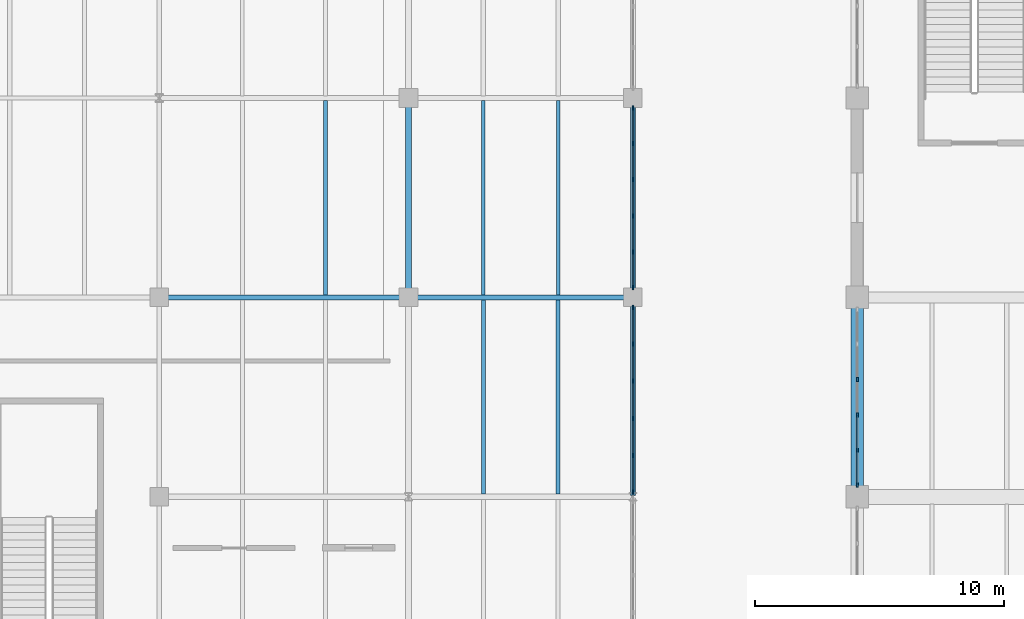
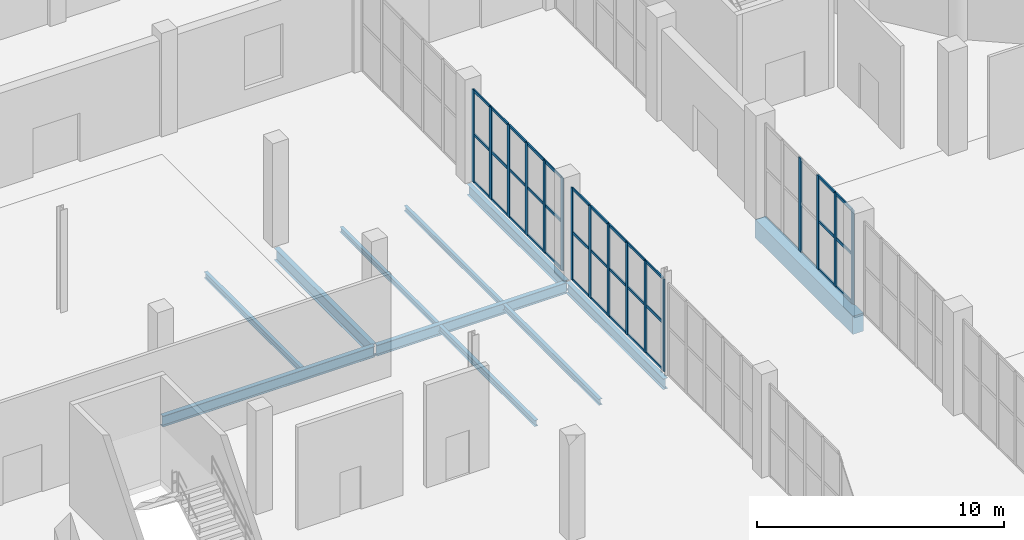
# One storey, part 34 of 103: 52 members, 11 beams, 3 elements without a shape of their own.
"""IFC4 building model written with IfcOpenShell, lengths in metres."""

from ifc_helpers import new_model, si_unit, direction, frame, origin, origin_2d, place, context, subcontext, project, spatial, rectangle, i_section, extrude, material, layer, layer_set, material_profile, profile_set, type_object, element, aggregate, save


model = new_model("IFC4")

# Units and contexts
model_context = context("Model", 3, precision=1e-05, world=origin(), true_north=direction((0.0, 1.0)))
body_context = subcontext(model_context, "Body", "Model", "MODEL_VIEW")
ifc_project = project(units=[si_unit("LENGTHUNIT", "METRE"), si_unit("AREAUNIT", "SQUARE_METRE"), si_unit("VOLUMEUNIT", "CUBIC_METRE"), si_unit("PLANEANGLEUNIT", "RADIAN"), si_unit("MASSUNIT", "GRAM", prefix="KILO")], contexts=[model_context])

# Site, building, storey
site_placement = place(None, origin())
site = spatial("IfcSite", under=ifc_project, at=site_placement, CompositionType="ELEMENT")
building_placement = place(site_placement, origin())
building = spatial("IfcBuilding", under=site, at=building_placement, Name="Marnock Terrace Opera House", CompositionType="ELEMENT")
storey_placement = place(building_placement, origin())
storey = spatial("IfcBuildingStorey", under=building, at=storey_placement, Name="L00", CompositionType="ELEMENT", Elevation=0.0)

# Beams
ifc_material_1 = material(Name="Concrete N40 (f'c = 40 MPa)", Category="concrete")
ifc_material_profile_1 = material_profile(ifc_material_1, rectangle(XDim=0.5, YDim=0.89990234375, at=origin_2d()))
ifc_profile_set_1 = profile_set([ifc_material_profile_1], Name="Concrete N40 (f'c = 40 MPa)")
beam_type_1 = type_object("IfcBeamType", Name="BM-B1-RC500", PredefinedType="BEAM", material=ifc_profile_set_1)
beam_1_placement = place(storey_placement, frame((55.0, 32.050048828125, -0.75), z_axis=(0.0, 1.0, 0.0), x_axis=(-1.0, 0.0, 0.0)))
element("IfcBeam", 1, at=beam_1_placement, inside=storey, type_object=beam_type_1, Name="L00 girder (X=55.0, 32.0..40.0)", PredefinedType="BEAM", context=body_context, shape_type="SweptSolid", body=[
    extrude(rectangle(XDim=0.5, YDim=0.89990234375, at=origin_2d()), origin(), (0.0, 0.0, 1.0), 7.89990234375),
])
ifc_material_2 = material(Name="Steel Grade 350 (AS/NZS 3679.1)", Category="steel")
ifc_material_profile_2 = material_profile(ifc_material_2, i_section(OverallWidth=0.208984375, OverallDepth=0.532958984375, WebThickness=0.01025390625, FlangeThickness=0.015625, FilletRadius=0.013916015625, at=origin_2d()))
ifc_profile_set_2 = profile_set([ifc_material_profile_2], Name="Steel Grade 350 (AS/NZS 3679.1)")
beam_type_2 = type_object("IfcBeamType", Name="BM-GIRD-530A", PredefinedType="BEAM", material=ifc_profile_set_2)
beam_2_placement = place(storey_placement, frame((27.050048828125, 40.0, -0.56640625), z_axis=(1.0, 0.0, 0.0), x_axis=(0.0, 1.0, 0.0)))
element("IfcBeam", 2, at=beam_2_placement, inside=storey, type_object=beam_type_2, Name="L00 girder (27.0..37.0, Y=40.0)", PredefinedType="BEAM", context=body_context, shape_type="SweptSolid", body=[
    extrude(i_section(OverallWidth=0.208984375, OverallDepth=0.532958984375, WebThickness=0.01025390625, FlangeThickness=0.015625, FilletRadius=0.013916015625, at=origin_2d()), origin(), (0.0, 0.0, 1.0), 9.89990234375),
])
beam_3_placement = place(storey_placement, frame((37.050048828125, 40.0, -0.56640625), z_axis=(1.0, 0.0, 0.0), x_axis=(0.0, 1.0, 0.0)))
element("IfcBeam", 3, at=beam_3_placement, inside=storey, type_object=beam_type_2, Name="L00 girder (37.0..46.0, Y=40.0)", PredefinedType="BEAM", context=body_context, shape_type="SweptSolid", body=[
    extrude(i_section(OverallWidth=0.208984375, OverallDepth=0.532958984375, WebThickness=0.01025390625, FlangeThickness=0.015625, FilletRadius=0.013916015625, at=origin_2d()), origin(), (0.0, 0.0, 1.0), 8.89990234375),
])
ifc_material_profile_3 = material_profile(ifc_material_2, i_section(OverallWidth=0.208984375, OverallDepth=0.528076171875, WebThickness=0.009521484375, FlangeThickness=0.01318359375, FilletRadius=0.013916015625, at=origin_2d()))
ifc_profile_set_3 = profile_set([ifc_material_profile_3], Name="Steel Grade 350 (AS/NZS 3679.1)")
beam_type_3 = type_object("IfcBeamType", Name="BM-GIRD-530B", PredefinedType="BEAM", material=ifc_profile_set_3)
for number, where, z_axis, x_axis, name in (
    (4, (46.0, 32.050048828125, -0.56396484375), (0.0, 1.0, 0.0), (-1.0, 0.0, 0.0), "L00 girder (X=46.0, 32.0..40.0)"),
    (5, (46.0, 40.050048828125, -0.56396484375), (0.0, 1.0, 0.0), (-1.0, 0.0, 0.0), "L00 girder (X=46.0, 40.0..48.0)"),
):
    element("IfcBeam", number, at=place(storey_placement, frame(where, z_axis=z_axis, x_axis=x_axis)), inside=storey, type_object=beam_type_3, Name=name, PredefinedType="BEAM", context=body_context, shape_type="SweptSolid", body=[
        extrude(i_section(OverallWidth=0.208984375, OverallDepth=0.528076171875, WebThickness=0.009521484375, FlangeThickness=0.01318359375, FilletRadius=0.013916015625, at=origin_2d()), origin(), (0.0, 0.0, 1.0), 7.89990234375),
    ])
ifc_material_profile_4 = material_profile(ifc_material_2, i_section(OverallWidth=0.22802734375, OverallDepth=0.60205078125, WebThickness=0.010498046875, FlangeThickness=0.014892578125, FilletRadius=0.013916015625, at=origin_2d()))
ifc_profile_set_4 = profile_set([ifc_material_profile_4], Name="Steel Grade 350 (AS/NZS 3679.1)")
beam_type_4 = type_object("IfcBeamType", Name="BM-GIRD-610C", PredefinedType="BEAM", material=ifc_profile_set_4)
beam_4_placement = place(storey_placement, frame((37.0, 40.050048828125, -0.60107421875), z_axis=(0.0, 1.0, 0.0), x_axis=(-1.0, 0.0, 0.0)))
element("IfcBeam", 6, at=beam_4_placement, inside=storey, type_object=beam_type_4, Name="L00 girder (X=37.0, 40.0..48.0)", PredefinedType="BEAM", context=body_context, shape_type="SweptSolid", body=[
    extrude(i_section(OverallWidth=0.22802734375, OverallDepth=0.60205078125, WebThickness=0.010498046875, FlangeThickness=0.014892578125, FilletRadius=0.013916015625, at=origin_2d()), origin(), (0.0, 0.0, 1.0), 7.89990234375),
])
ifc_material_profile_5 = material_profile(ifc_material_2, i_section(OverallWidth=0.14599609375, OverallDepth=0.256103515625, WebThickness=0.00634765625, FlangeThickness=0.010986328125, FilletRadius=0.0087890625, at=origin_2d()))
ifc_profile_set_5 = profile_set([ifc_material_profile_5], Name="Steel Grade 350 (AS/NZS 3679.1)")
beam_type_5 = type_object("IfcBeamType", Name="BM-JOIST-250", PredefinedType="JOIST", material=ifc_profile_set_5)
for number, where, z_axis, x_axis, name in (
    (7, (40.0, 40.099609375, -0.427978515625), (0.0, 1.0, 0.0), (-1.0, 0.0, 0.0), "L00 secondary joist 4.5.1"),
    (8, (43.0, 40.099609375, -0.427978515625), (0.0, 1.0, 0.0), (-1.0, 0.0, 0.0), "L00 secondary joist 4.5.2"),
):
    element("IfcBeam", number, at=place(storey_placement, frame(where, z_axis=z_axis, x_axis=x_axis)), inside=storey, type_object=beam_type_5, Name=name, PredefinedType="JOIST", context=body_context, shape_type="SweptSolid", body=[
        extrude(i_section(OverallWidth=0.14599609375, OverallDepth=0.256103515625, WebThickness=0.00634765625, FlangeThickness=0.010986328125, FilletRadius=0.0087890625, at=origin_2d()), origin(), (0.0, 0.0, 1.0), 7.809814453125),
    ])
ifc_material_profile_6 = material_profile(ifc_material_2, i_section(OverallWidth=0.1650390625, OverallDepth=0.3037109375, WebThickness=0.006103515625, FlangeThickness=0.01025390625, FilletRadius=0.011474609375, at=origin_2d()))
ifc_profile_set_6 = profile_set([ifc_material_profile_6], Name="Steel Grade 350 (AS/NZS 3679.1)")
beam_type_6 = type_object("IfcBeamType", Name="BM-JOIST-310B", PredefinedType="JOIST", material=ifc_profile_set_6)
beam_5_placement = place(storey_placement, frame((33.666748046875, 40.099609375, -0.451904296875), z_axis=(0.0, 1.0, 0.0), x_axis=(-1.0, 0.0, 0.0)))
element("IfcBeam", 9, at=beam_5_placement, inside=storey, type_object=beam_type_6, Name="L00 secondary joist 3.5.2", PredefinedType="JOIST", context=body_context, shape_type="SweptSolid", body=[
    extrude(i_section(OverallWidth=0.1650390625, OverallDepth=0.3037109375, WebThickness=0.006103515625, FlangeThickness=0.01025390625, FilletRadius=0.011474609375, at=origin_2d()), origin(), (0.0, 0.0, 1.0), 7.809814453125),
])
for number, where, z_axis, x_axis, name in (
    (10, (40.0, 32.10888671875, -0.451904296875), (0.0, 1.0, 0.0), (-1.0, 0.0, 0.0), "L00 secondary joist 4.4.1"),
    (11, (43.0, 32.10888671875, -0.451904296875), (0.0, 1.0, 0.0), (-1.0, 0.0, 0.0), "L00 secondary joist 4.4.2"),
):
    element("IfcBeam", number, at=place(storey_placement, frame(where, z_axis=z_axis, x_axis=x_axis)), inside=storey, type_object=beam_type_6, Name=name, PredefinedType="JOIST", context=body_context, shape_type="SweptSolid", body=[
        extrude(i_section(OverallWidth=0.1650390625, OverallDepth=0.3037109375, WebThickness=0.006103515625, FlangeThickness=0.01025390625, FilletRadius=0.011474609375, at=origin_2d()), origin(), (0.0, 0.0, 1.0), 7.79150390625),
    ])

# Curtain wall, members
ifc_material_3 = material(Name="Anodised architectural bronze aluminium framing", Category="aluminium")
ifc_layer_1 = layer(ifc_material_3, 0.159912109375)
ifc_layer_set_1 = layer_set([ifc_layer_1], Name="Anodised architectural bronze aluminium framing")
curtain_wall_type_1 = type_object("IfcCurtainWallType", Name="CW-FOYER-80x51", PredefinedType="NOTDEFINED", material=ifc_layer_set_1)
curtain_wall_1_placement = place(storey_placement, origin())
curtain_wall_1 = element("IfcCurtainWall", 12, at=curtain_wall_1_placement, inside=storey, type_object=curtain_wall_type_1, Name="L00 glazed Beaux-Arts colonnade curtain wall CW-V1W-L00-04", PredefinedType="NOTDEFINED")
ifc_material_profile_7 = material_profile(ifc_material_3, rectangle(XDim=0.06494140625, YDim=0.179931640625, at=origin_2d()))
ifc_profile_set_7 = profile_set([ifc_material_profile_7], Name="Anodised architectural bronze aluminium framing")
member_type_1 = type_object("IfcMemberType", Name="CWM-65x180", PredefinedType="MULLION", material=ifc_profile_set_7)
member_1_placement = place(storey_placement, frame((55.0, 32.47607421875, 0.0), z_axis=(0.0, 0.0, 1.0), x_axis=(-1.0, 0.0, 0.0)))
member_1 = element("IfcMember", 13, at=member_1_placement, type_object=member_type_1, Name="CW-73 mullion 1", PredefinedType="MULLION", context=body_context, shape_type="SweptSolid", body=[
    extrude(rectangle(XDim=0.06494140625, YDim=0.179931640625, at=origin_2d()), origin(), (0.0, 0.0, 1.0), 4.632568359375),
])
member_2_placement = place(storey_placement, frame((55.0, 33.86767578125, 0.0), z_axis=(0.0, 0.0, 1.0), x_axis=(-1.0, 0.0, 0.0)))
member_2 = element("IfcMember", 14, at=member_2_placement, type_object=member_type_1, Name="CW-73 mullion 2", PredefinedType="MULLION", context=body_context, shape_type="SweptSolid", body=[
    extrude(rectangle(XDim=0.06494140625, YDim=0.179931640625, at=origin_2d()), origin(), (0.0, 0.0, 1.0), 4.632568359375),
])
member_3_placement = place(storey_placement, frame((55.0, 35.289306640625, 0.0), z_axis=(0.0, 0.0, 1.0), x_axis=(-1.0, 0.0, 0.0)))
member_3 = element("IfcMember", 15, at=member_3_placement, type_object=member_type_1, Name="CW-73 mullion 3", PredefinedType="MULLION", context=body_context, shape_type="SweptSolid", body=[
    extrude(rectangle(XDim=0.06494140625, YDim=0.179931640625, at=origin_2d()), origin(), (0.0, 0.0, 1.0), 4.632568359375),
])
member_4_placement = place(storey_placement, frame((55.0, 36.710693359375, 0.0), z_axis=(0.0, 0.0, 1.0), x_axis=(-1.0, 0.0, 0.0)))
member_4 = element("IfcMember", 16, at=member_4_placement, type_object=member_type_1, Name="CW-73 mullion 4", PredefinedType="MULLION", context=body_context, shape_type="SweptSolid", body=[
    extrude(rectangle(XDim=0.06494140625, YDim=0.179931640625, at=origin_2d()), origin(), (0.0, 0.0, 1.0), 4.632568359375),
])

ifc_layer_2 = layer(ifc_material_3, 0.159912109375)
ifc_layer_set_2 = layer_set([ifc_layer_2], Name="Anodised architectural bronze aluminium framing")
curtain_wall_type_2 = type_object("IfcCurtainWallType", Name="CW-COURT-80x51", PredefinedType="NOTDEFINED", material=ifc_layer_set_2)
curtain_wall_2_placement = place(storey_placement, origin())
curtain_wall_2 = element("IfcCurtainWall", 17, at=curtain_wall_2_placement, inside=storey, type_object=curtain_wall_type_2, Name="L00 glazed Beaux-Arts colonnade curtain wall CW-V3E-L00-04", PredefinedType="NOTDEFINED")
member_5_placement = place(storey_placement, frame((46.0, 32.189697265625, 0.0), z_axis=(0.0, 0.0, 1.0), x_axis=(-1.0, 0.0, 0.0)))
member_5 = element("IfcMember", 18, at=member_5_placement, type_object=member_type_1, Name="CW-114 mullion 1", PredefinedType="MULLION", context=body_context, shape_type="SweptSolid", body=[
    extrude(rectangle(XDim=0.06494140625, YDim=0.179931640625, at=origin_2d()), origin(), (0.0, 0.0, 1.0), 4.56201171875),
])
member_6_placement = place(storey_placement, frame((46.0, 33.653564453125, 0.0), z_axis=(0.0, 0.0, 1.0), x_axis=(-1.0, 0.0, 0.0)))
member_6 = element("IfcMember", 19, at=member_6_placement, type_object=member_type_1, Name="CW-114 mullion 2", PredefinedType="MULLION", context=body_context, shape_type="SweptSolid", body=[
    extrude(rectangle(XDim=0.06494140625, YDim=0.179931640625, at=origin_2d()), origin(), (0.0, 0.0, 1.0), 4.56201171875),
])
member_7_placement = place(storey_placement, frame((46.0, 35.1474609375, 0.0), z_axis=(0.0, 0.0, 1.0), x_axis=(-1.0, 0.0, 0.0)))
member_7 = element("IfcMember", 20, at=member_7_placement, type_object=member_type_1, Name="CW-114 mullion 3", PredefinedType="MULLION", context=body_context, shape_type="SweptSolid", body=[
    extrude(rectangle(XDim=0.06494140625, YDim=0.179931640625, at=origin_2d()), origin(), (0.0, 0.0, 1.0), 4.56201171875),
])
member_8_placement = place(storey_placement, frame((46.0, 36.641357421875, 0.0), z_axis=(0.0, 0.0, 1.0), x_axis=(-1.0, 0.0, 0.0)))
member_8 = element("IfcMember", 21, at=member_8_placement, type_object=member_type_1, Name="CW-114 mullion 4", PredefinedType="MULLION", context=body_context, shape_type="SweptSolid", body=[
    extrude(rectangle(XDim=0.06494140625, YDim=0.179931640625, at=origin_2d()), origin(), (0.0, 0.0, 1.0), 4.56201171875),
])
member_9_placement = place(storey_placement, frame((46.0, 38.135009765625, 0.0), z_axis=(0.0, 0.0, 1.0), x_axis=(-1.0, 0.0, 0.0)))
member_9 = element("IfcMember", 22, at=member_9_placement, type_object=member_type_1, Name="CW-114 mullion 5", PredefinedType="MULLION", context=body_context, shape_type="SweptSolid", body=[
    extrude(rectangle(XDim=0.06494140625, YDim=0.179931640625, at=origin_2d()), origin(), (0.0, 0.0, 1.0), 4.56201171875),
])
member_10_placement = place(storey_placement, frame((46.0, 39.59912109375, 0.0), z_axis=(0.0, 0.0, 1.0), x_axis=(-1.0, 0.0, 0.0)))
member_10 = element("IfcMember", 23, at=member_10_placement, type_object=member_type_1, Name="CW-114 mullion 6", PredefinedType="MULLION", context=body_context, shape_type="SweptSolid", body=[
    extrude(rectangle(XDim=0.06494140625, YDim=0.179931640625, at=origin_2d()), origin(), (0.0, 0.0, 1.0), 4.56201171875),
])

curtain_wall_3_placement = place(storey_placement, origin())
curtain_wall_3 = element("IfcCurtainWall", 24, at=curtain_wall_3_placement, inside=storey, type_object=curtain_wall_type_2, Name="L00 glazed Beaux-Arts colonnade curtain wall CW-V3E-L00-05", PredefinedType="NOTDEFINED")
member_11_placement = place(storey_placement, frame((46.0, 40.40087890625, 0.0), z_axis=(0.0, 0.0, 1.0), x_axis=(-1.0, 0.0, 0.0)))
member_11 = element("IfcMember", 25, at=member_11_placement, type_object=member_type_1, Name="CW-114 mullion 1", PredefinedType="MULLION", context=body_context, shape_type="SweptSolid", body=[
    extrude(rectangle(XDim=0.06494140625, YDim=0.179931640625, at=origin_2d()), origin(), (0.0, 0.0, 1.0), 4.56201171875),
])
member_12_placement = place(storey_placement, frame((46.0, 41.822509765625, 0.0), z_axis=(0.0, 0.0, 1.0), x_axis=(-1.0, 0.0, 0.0)))
member_12 = element("IfcMember", 26, at=member_12_placement, type_object=member_type_1, Name="CW-114 mullion 2", PredefinedType="MULLION", context=body_context, shape_type="SweptSolid", body=[
    extrude(rectangle(XDim=0.06494140625, YDim=0.179931640625, at=origin_2d()), origin(), (0.0, 0.0, 1.0), 4.56201171875),
])
member_13_placement = place(storey_placement, frame((46.0, 43.274169921875, 0.0), z_axis=(0.0, 0.0, 1.0), x_axis=(-1.0, 0.0, 0.0)))
member_13 = element("IfcMember", 27, at=member_13_placement, type_object=member_type_1, Name="CW-114 mullion 3", PredefinedType="MULLION", context=body_context, shape_type="SweptSolid", body=[
    extrude(rectangle(XDim=0.06494140625, YDim=0.179931640625, at=origin_2d()), origin(), (0.0, 0.0, 1.0), 4.56201171875),
])
member_14_placement = place(storey_placement, frame((46.0, 44.725830078125, 0.0), z_axis=(0.0, 0.0, 1.0), x_axis=(-1.0, 0.0, 0.0)))
member_14 = element("IfcMember", 28, at=member_14_placement, type_object=member_type_1, Name="CW-114 mullion 4", PredefinedType="MULLION", context=body_context, shape_type="SweptSolid", body=[
    extrude(rectangle(XDim=0.06494140625, YDim=0.179931640625, at=origin_2d()), origin(), (0.0, 0.0, 1.0), 4.56201171875),
])
member_15_placement = place(storey_placement, frame((46.0, 46.177490234375, 0.0), z_axis=(0.0, 0.0, 1.0), x_axis=(-1.0, 0.0, 0.0)))
member_15 = element("IfcMember", 29, at=member_15_placement, type_object=member_type_1, Name="CW-114 mullion 5", PredefinedType="MULLION", context=body_context, shape_type="SweptSolid", body=[
    extrude(rectangle(XDim=0.06494140625, YDim=0.179931640625, at=origin_2d()), origin(), (0.0, 0.0, 1.0), 4.56201171875),
])
member_16_placement = place(storey_placement, frame((46.0, 47.59912109375, 0.0), z_axis=(0.0, 0.0, 1.0), x_axis=(-1.0, 0.0, 0.0)))
member_16 = element("IfcMember", 30, at=member_16_placement, type_object=member_type_1, Name="CW-114 mullion 6", PredefinedType="MULLION", context=body_context, shape_type="SweptSolid", body=[
    extrude(rectangle(XDim=0.06494140625, YDim=0.179931640625, at=origin_2d()), origin(), (0.0, 0.0, 1.0), 4.56201171875),
])

# Member
ifc_material_profile_8 = material_profile(ifc_material_3, rectangle(XDim=0.06005859375, YDim=0.1298828125, at=origin_2d()))
ifc_profile_set_8 = profile_set([ifc_material_profile_8], Name="Anodised architectural bronze aluminium framing")
member_type_2 = type_object("IfcMemberType", Name="CWT-60x130", PredefinedType="USERDEFINED", material=ifc_profile_set_8)
member_17_placement = place(storey_placement, frame((55.0, 32.506103515625, 0.030029296875), z_axis=(0.0, 1.0, 0.0), x_axis=(-1.0, 0.0, 0.0)))
member_17 = element("IfcMember", 31, at=member_17_placement, type_object=member_type_2, Name="CW-73 transom 1.1", ObjectType="TRANSOM", PredefinedType="USERDEFINED", context=body_context, shape_type="SweptSolid", body=[
    extrude(rectangle(XDim=0.06005859375, YDim=0.1298828125, at=origin_2d()), origin(), (0.0, 0.0, 1.0), 1.33154296875),
])

member_18_placement = place(storey_placement, frame((55.0, 32.506103515625, 2.408935546875), z_axis=(0.0, 1.0, 0.0), x_axis=(-1.0, 0.0, 0.0)))
member_18 = element("IfcMember", 32, at=member_18_placement, type_object=member_type_2, Name="CW-73 transom 1.2", ObjectType="TRANSOM", PredefinedType="USERDEFINED", context=body_context, shape_type="SweptSolid", body=[
    extrude(rectangle(XDim=0.06005859375, YDim=0.1298828125, at=origin_2d()), origin(), (0.0, 0.0, 1.0), 1.33154296875),
])

member_19_placement = place(storey_placement, frame((55.0, 32.506103515625, 4.6025390625), z_axis=(0.0, 1.0, 0.0), x_axis=(-1.0, 0.0, 0.0)))
member_19 = element("IfcMember", 33, at=member_19_placement, type_object=member_type_2, Name="CW-73 transom 1.3", ObjectType="TRANSOM", PredefinedType="USERDEFINED", context=body_context, shape_type="SweptSolid", body=[
    extrude(rectangle(XDim=0.06005859375, YDim=0.1298828125, at=origin_2d()), origin(), (0.0, 0.0, 1.0), 1.33154296875),
])

member_20_placement = place(storey_placement, frame((55.0, 33.897705078125, 0.030029296875), z_axis=(0.0, 1.0, 0.0), x_axis=(-1.0, 0.0, 0.0)))
member_20 = element("IfcMember", 34, at=member_20_placement, type_object=member_type_2, Name="CW-73 transom 2.1", ObjectType="TRANSOM", PredefinedType="USERDEFINED", context=body_context, shape_type="SweptSolid", body=[
    extrude(rectangle(XDim=0.06005859375, YDim=0.1298828125, at=origin_2d()), origin(), (0.0, 0.0, 1.0), 1.361572265625),
])

member_21_placement = place(storey_placement, frame((55.0, 33.897705078125, 2.408935546875), z_axis=(0.0, 1.0, 0.0), x_axis=(-1.0, 0.0, 0.0)))
member_21 = element("IfcMember", 35, at=member_21_placement, type_object=member_type_2, Name="CW-73 transom 2.2", ObjectType="TRANSOM", PredefinedType="USERDEFINED", context=body_context, shape_type="SweptSolid", body=[
    extrude(rectangle(XDim=0.06005859375, YDim=0.1298828125, at=origin_2d()), origin(), (0.0, 0.0, 1.0), 1.361572265625),
])

member_22_placement = place(storey_placement, frame((55.0, 33.897705078125, 4.6025390625), z_axis=(0.0, 1.0, 0.0), x_axis=(-1.0, 0.0, 0.0)))
member_22 = element("IfcMember", 36, at=member_22_placement, type_object=member_type_2, Name="CW-73 transom 2.3", ObjectType="TRANSOM", PredefinedType="USERDEFINED", context=body_context, shape_type="SweptSolid", body=[
    extrude(rectangle(XDim=0.06005859375, YDim=0.1298828125, at=origin_2d()), origin(), (0.0, 0.0, 1.0), 1.361572265625),
])

aggregate(curtain_wall_1, [member_1, member_2, member_3, member_4, member_17, member_18, member_19, member_20, member_21, member_22])

member_23_placement = place(storey_placement, frame((46.0, 32.219482421875, 0.030029296875), z_axis=(0.0, 1.0, 0.0), x_axis=(-1.0, 0.0, 0.0)))
member_23 = element("IfcMember", 37, at=member_23_placement, type_object=member_type_2, Name="CW-114 transom 1.1", ObjectType="TRANSOM", PredefinedType="USERDEFINED", context=body_context, shape_type="SweptSolid", body=[
    extrude(rectangle(XDim=0.06005859375, YDim=0.1298828125, at=origin_2d()), origin(), (0.0, 0.0, 1.0), 1.404052734375),
])

member_24_placement = place(storey_placement, frame((46.0, 32.219482421875, 2.372314453125), z_axis=(0.0, 1.0, 0.0), x_axis=(-1.0, 0.0, 0.0)))
member_24 = element("IfcMember", 38, at=member_24_placement, type_object=member_type_2, Name="CW-114 transom 1.2", ObjectType="TRANSOM", PredefinedType="USERDEFINED", context=body_context, shape_type="SweptSolid", body=[
    extrude(rectangle(XDim=0.06005859375, YDim=0.1298828125, at=origin_2d()), origin(), (0.0, 0.0, 1.0), 1.404052734375),
])

member_25_placement = place(storey_placement, frame((46.0, 32.219482421875, 4.531982421875), z_axis=(0.0, 1.0, 0.0), x_axis=(-1.0, 0.0, 0.0)))
member_25 = element("IfcMember", 39, at=member_25_placement, type_object=member_type_2, Name="CW-114 transom 1.3", ObjectType="TRANSOM", PredefinedType="USERDEFINED", context=body_context, shape_type="SweptSolid", body=[
    extrude(rectangle(XDim=0.06005859375, YDim=0.1298828125, at=origin_2d()), origin(), (0.0, 0.0, 1.0), 1.404052734375),
])

member_26_placement = place(storey_placement, frame((46.0, 33.68359375, 0.030029296875), z_axis=(0.0, 1.0, 0.0), x_axis=(-1.0, 0.0, 0.0)))
member_26 = element("IfcMember", 40, at=member_26_placement, type_object=member_type_2, Name="CW-114 transom 2.1", ObjectType="TRANSOM", PredefinedType="USERDEFINED", context=body_context, shape_type="SweptSolid", body=[
    extrude(rectangle(XDim=0.06005859375, YDim=0.1298828125, at=origin_2d()), origin(), (0.0, 0.0, 1.0), 1.433837890625),
])

member_27_placement = place(storey_placement, frame((46.0, 33.68359375, 2.372314453125), z_axis=(0.0, 1.0, 0.0), x_axis=(-1.0, 0.0, 0.0)))
member_27 = element("IfcMember", 41, at=member_27_placement, type_object=member_type_2, Name="CW-114 transom 2.2", ObjectType="TRANSOM", PredefinedType="USERDEFINED", context=body_context, shape_type="SweptSolid", body=[
    extrude(rectangle(XDim=0.06005859375, YDim=0.1298828125, at=origin_2d()), origin(), (0.0, 0.0, 1.0), 1.433837890625),
])

member_28_placement = place(storey_placement, frame((46.0, 33.68359375, 4.531982421875), z_axis=(0.0, 1.0, 0.0), x_axis=(-1.0, 0.0, 0.0)))
member_28 = element("IfcMember", 42, at=member_28_placement, type_object=member_type_2, Name="CW-114 transom 2.3", ObjectType="TRANSOM", PredefinedType="USERDEFINED", context=body_context, shape_type="SweptSolid", body=[
    extrude(rectangle(XDim=0.06005859375, YDim=0.1298828125, at=origin_2d()), origin(), (0.0, 0.0, 1.0), 1.433837890625),
])

member_29_placement = place(storey_placement, frame((46.0, 35.17724609375, 0.030029296875), z_axis=(0.0, 1.0, 0.0), x_axis=(-1.0, 0.0, 0.0)))
member_29 = element("IfcMember", 43, at=member_29_placement, type_object=member_type_2, Name="CW-114 transom 3.1", ObjectType="TRANSOM", PredefinedType="USERDEFINED", context=body_context, shape_type="SweptSolid", body=[
    extrude(rectangle(XDim=0.06005859375, YDim=0.1298828125, at=origin_2d()), origin(), (0.0, 0.0, 1.0), 1.43408203125),
])

member_30_placement = place(storey_placement, frame((46.0, 35.17724609375, 2.372314453125), z_axis=(0.0, 1.0, 0.0), x_axis=(-1.0, 0.0, 0.0)))
member_30 = element("IfcMember", 44, at=member_30_placement, type_object=member_type_2, Name="CW-114 transom 3.2", ObjectType="TRANSOM", PredefinedType="USERDEFINED", context=body_context, shape_type="SweptSolid", body=[
    extrude(rectangle(XDim=0.06005859375, YDim=0.1298828125, at=origin_2d()), origin(), (0.0, 0.0, 1.0), 1.43408203125),
])

member_31_placement = place(storey_placement, frame((46.0, 35.17724609375, 4.531982421875), z_axis=(0.0, 1.0, 0.0), x_axis=(-1.0, 0.0, 0.0)))
member_31 = element("IfcMember", 45, at=member_31_placement, type_object=member_type_2, Name="CW-114 transom 3.3", ObjectType="TRANSOM", PredefinedType="USERDEFINED", context=body_context, shape_type="SweptSolid", body=[
    extrude(rectangle(XDim=0.06005859375, YDim=0.1298828125, at=origin_2d()), origin(), (0.0, 0.0, 1.0), 1.43408203125),
])

member_32_placement = place(storey_placement, frame((46.0, 36.671142578125, 0.030029296875), z_axis=(0.0, 1.0, 0.0), x_axis=(-1.0, 0.0, 0.0)))
member_32 = element("IfcMember", 46, at=member_32_placement, type_object=member_type_2, Name="CW-114 transom 4.1", ObjectType="TRANSOM", PredefinedType="USERDEFINED", context=body_context, shape_type="SweptSolid", body=[
    extrude(rectangle(XDim=0.06005859375, YDim=0.1298828125, at=origin_2d()), origin(), (0.0, 0.0, 1.0), 1.43408203125),
])

member_33_placement = place(storey_placement, frame((46.0, 36.671142578125, 2.372314453125), z_axis=(0.0, 1.0, 0.0), x_axis=(-1.0, 0.0, 0.0)))
member_33 = element("IfcMember", 47, at=member_33_placement, type_object=member_type_2, Name="CW-114 transom 4.2", ObjectType="TRANSOM", PredefinedType="USERDEFINED", context=body_context, shape_type="SweptSolid", body=[
    extrude(rectangle(XDim=0.06005859375, YDim=0.1298828125, at=origin_2d()), origin(), (0.0, 0.0, 1.0), 1.43408203125),
])

member_34_placement = place(storey_placement, frame((46.0, 36.671142578125, 4.531982421875), z_axis=(0.0, 1.0, 0.0), x_axis=(-1.0, 0.0, 0.0)))
member_34 = element("IfcMember", 48, at=member_34_placement, type_object=member_type_2, Name="CW-114 transom 4.3", ObjectType="TRANSOM", PredefinedType="USERDEFINED", context=body_context, shape_type="SweptSolid", body=[
    extrude(rectangle(XDim=0.06005859375, YDim=0.1298828125, at=origin_2d()), origin(), (0.0, 0.0, 1.0), 1.43408203125),
])

member_35_placement = place(storey_placement, frame((46.0, 38.1650390625, 0.030029296875), z_axis=(0.0, 1.0, 0.0), x_axis=(-1.0, 0.0, 0.0)))
member_35 = element("IfcMember", 49, at=member_35_placement, type_object=member_type_2, Name="CW-114 transom 5.1", ObjectType="TRANSOM", PredefinedType="USERDEFINED", context=body_context, shape_type="SweptSolid", body=[
    extrude(rectangle(XDim=0.06005859375, YDim=0.1298828125, at=origin_2d()), origin(), (0.0, 0.0, 1.0), 1.404052734375),
])

member_36_placement = place(storey_placement, frame((46.0, 38.1650390625, 2.372314453125), z_axis=(0.0, 1.0, 0.0), x_axis=(-1.0, 0.0, 0.0)))
member_36 = element("IfcMember", 50, at=member_36_placement, type_object=member_type_2, Name="CW-114 transom 5.2", ObjectType="TRANSOM", PredefinedType="USERDEFINED", context=body_context, shape_type="SweptSolid", body=[
    extrude(rectangle(XDim=0.06005859375, YDim=0.1298828125, at=origin_2d()), origin(), (0.0, 0.0, 1.0), 1.404052734375),
])

member_37_placement = place(storey_placement, frame((46.0, 38.1650390625, 4.531982421875), z_axis=(0.0, 1.0, 0.0), x_axis=(-1.0, 0.0, 0.0)))
member_37 = element("IfcMember", 51, at=member_37_placement, type_object=member_type_2, Name="CW-114 transom 5.3", ObjectType="TRANSOM", PredefinedType="USERDEFINED", context=body_context, shape_type="SweptSolid", body=[
    extrude(rectangle(XDim=0.06005859375, YDim=0.1298828125, at=origin_2d()), origin(), (0.0, 0.0, 1.0), 1.404052734375),
])

aggregate(curtain_wall_2, [member_5, member_6, member_7, member_8, member_9, member_10, member_23, member_24, member_25, member_26, member_27, member_28, member_29, member_30, member_31, member_32, member_33, member_34, member_35, member_36, member_37])

member_38_placement = place(storey_placement, frame((46.0, 40.430908203125, 0.030029296875), z_axis=(0.0, 1.0, 0.0), x_axis=(-1.0, 0.0, 0.0)))
member_38 = element("IfcMember", 52, at=member_38_placement, type_object=member_type_2, Name="CW-114 transom 1.1", ObjectType="TRANSOM", PredefinedType="USERDEFINED", context=body_context, shape_type="SweptSolid", body=[
    extrude(rectangle(XDim=0.06005859375, YDim=0.1298828125, at=origin_2d()), origin(), (0.0, 0.0, 1.0), 1.361572265625),
])

member_39_placement = place(storey_placement, frame((46.0, 40.430908203125, 2.372314453125), z_axis=(0.0, 1.0, 0.0), x_axis=(-1.0, 0.0, 0.0)))
member_39 = element("IfcMember", 53, at=member_39_placement, type_object=member_type_2, Name="CW-114 transom 1.2", ObjectType="TRANSOM", PredefinedType="USERDEFINED", context=body_context, shape_type="SweptSolid", body=[
    extrude(rectangle(XDim=0.06005859375, YDim=0.1298828125, at=origin_2d()), origin(), (0.0, 0.0, 1.0), 1.361572265625),
])

member_40_placement = place(storey_placement, frame((46.0, 40.430908203125, 4.531982421875), z_axis=(0.0, 1.0, 0.0), x_axis=(-1.0, 0.0, 0.0)))
member_40 = element("IfcMember", 54, at=member_40_placement, type_object=member_type_2, Name="CW-114 transom 1.3", ObjectType="TRANSOM", PredefinedType="USERDEFINED", context=body_context, shape_type="SweptSolid", body=[
    extrude(rectangle(XDim=0.06005859375, YDim=0.1298828125, at=origin_2d()), origin(), (0.0, 0.0, 1.0), 1.361572265625),
])

member_41_placement = place(storey_placement, frame((46.0, 41.8525390625, 0.030029296875), z_axis=(0.0, 1.0, 0.0), x_axis=(-1.0, 0.0, 0.0)))
member_41 = element("IfcMember", 55, at=member_41_placement, type_object=member_type_2, Name="CW-114 transom 2.1", ObjectType="TRANSOM", PredefinedType="USERDEFINED", context=body_context, shape_type="SweptSolid", body=[
    extrude(rectangle(XDim=0.06005859375, YDim=0.1298828125, at=origin_2d()), origin(), (0.0, 0.0, 1.0), 1.3916015625),
])

member_42_placement = place(storey_placement, frame((46.0, 41.8525390625, 2.372314453125), z_axis=(0.0, 1.0, 0.0), x_axis=(-1.0, 0.0, 0.0)))
member_42 = element("IfcMember", 56, at=member_42_placement, type_object=member_type_2, Name="CW-114 transom 2.2", ObjectType="TRANSOM", PredefinedType="USERDEFINED", context=body_context, shape_type="SweptSolid", body=[
    extrude(rectangle(XDim=0.06005859375, YDim=0.1298828125, at=origin_2d()), origin(), (0.0, 0.0, 1.0), 1.3916015625),
])

member_43_placement = place(storey_placement, frame((46.0, 41.8525390625, 4.531982421875), z_axis=(0.0, 1.0, 0.0), x_axis=(-1.0, 0.0, 0.0)))
member_43 = element("IfcMember", 57, at=member_43_placement, type_object=member_type_2, Name="CW-114 transom 2.3", ObjectType="TRANSOM", PredefinedType="USERDEFINED", context=body_context, shape_type="SweptSolid", body=[
    extrude(rectangle(XDim=0.06005859375, YDim=0.1298828125, at=origin_2d()), origin(), (0.0, 0.0, 1.0), 1.3916015625),
])

member_44_placement = place(storey_placement, frame((46.0, 43.30419921875, 0.030029296875), z_axis=(0.0, 1.0, 0.0), x_axis=(-1.0, 0.0, 0.0)))
member_44 = element("IfcMember", 58, at=member_44_placement, type_object=member_type_2, Name="CW-114 transom 3.1", ObjectType="TRANSOM", PredefinedType="USERDEFINED", context=body_context, shape_type="SweptSolid", body=[
    extrude(rectangle(XDim=0.06005859375, YDim=0.1298828125, at=origin_2d()), origin(), (0.0, 0.0, 1.0), 1.3916015625),
])

member_45_placement = place(storey_placement, frame((46.0, 43.30419921875, 2.372314453125), z_axis=(0.0, 1.0, 0.0), x_axis=(-1.0, 0.0, 0.0)))
member_45 = element("IfcMember", 59, at=member_45_placement, type_object=member_type_2, Name="CW-114 transom 3.2", ObjectType="TRANSOM", PredefinedType="USERDEFINED", context=body_context, shape_type="SweptSolid", body=[
    extrude(rectangle(XDim=0.06005859375, YDim=0.1298828125, at=origin_2d()), origin(), (0.0, 0.0, 1.0), 1.3916015625),
])

member_46_placement = place(storey_placement, frame((46.0, 43.30419921875, 4.531982421875), z_axis=(0.0, 1.0, 0.0), x_axis=(-1.0, 0.0, 0.0)))
member_46 = element("IfcMember", 60, at=member_46_placement, type_object=member_type_2, Name="CW-114 transom 3.3", ObjectType="TRANSOM", PredefinedType="USERDEFINED", context=body_context, shape_type="SweptSolid", body=[
    extrude(rectangle(XDim=0.06005859375, YDim=0.1298828125, at=origin_2d()), origin(), (0.0, 0.0, 1.0), 1.3916015625),
])

member_47_placement = place(storey_placement, frame((46.0, 44.755859375, 0.030029296875), z_axis=(0.0, 1.0, 0.0), x_axis=(-1.0, 0.0, 0.0)))
member_47 = element("IfcMember", 61, at=member_47_placement, type_object=member_type_2, Name="CW-114 transom 4.1", ObjectType="TRANSOM", PredefinedType="USERDEFINED", context=body_context, shape_type="SweptSolid", body=[
    extrude(rectangle(XDim=0.06005859375, YDim=0.1298828125, at=origin_2d()), origin(), (0.0, 0.0, 1.0), 1.3916015625),
])

member_48_placement = place(storey_placement, frame((46.0, 44.755859375, 2.372314453125), z_axis=(0.0, 1.0, 0.0), x_axis=(-1.0, 0.0, 0.0)))
member_48 = element("IfcMember", 62, at=member_48_placement, type_object=member_type_2, Name="CW-114 transom 4.2", ObjectType="TRANSOM", PredefinedType="USERDEFINED", context=body_context, shape_type="SweptSolid", body=[
    extrude(rectangle(XDim=0.06005859375, YDim=0.1298828125, at=origin_2d()), origin(), (0.0, 0.0, 1.0), 1.3916015625),
])

member_49_placement = place(storey_placement, frame((46.0, 44.755859375, 4.531982421875), z_axis=(0.0, 1.0, 0.0), x_axis=(-1.0, 0.0, 0.0)))
member_49 = element("IfcMember", 63, at=member_49_placement, type_object=member_type_2, Name="CW-114 transom 4.3", ObjectType="TRANSOM", PredefinedType="USERDEFINED", context=body_context, shape_type="SweptSolid", body=[
    extrude(rectangle(XDim=0.06005859375, YDim=0.1298828125, at=origin_2d()), origin(), (0.0, 0.0, 1.0), 1.3916015625),
])

member_50_placement = place(storey_placement, frame((46.0, 46.20751953125, 0.030029296875), z_axis=(0.0, 1.0, 0.0), x_axis=(-1.0, 0.0, 0.0)))
member_50 = element("IfcMember", 64, at=member_50_placement, type_object=member_type_2, Name="CW-114 transom 5.1", ObjectType="TRANSOM", PredefinedType="USERDEFINED", context=body_context, shape_type="SweptSolid", body=[
    extrude(rectangle(XDim=0.06005859375, YDim=0.1298828125, at=origin_2d()), origin(), (0.0, 0.0, 1.0), 1.361572265625),
])

member_51_placement = place(storey_placement, frame((46.0, 46.20751953125, 2.372314453125), z_axis=(0.0, 1.0, 0.0), x_axis=(-1.0, 0.0, 0.0)))
member_51 = element("IfcMember", 65, at=member_51_placement, type_object=member_type_2, Name="CW-114 transom 5.2", ObjectType="TRANSOM", PredefinedType="USERDEFINED", context=body_context, shape_type="SweptSolid", body=[
    extrude(rectangle(XDim=0.06005859375, YDim=0.1298828125, at=origin_2d()), origin(), (0.0, 0.0, 1.0), 1.361572265625),
])

member_52_placement = place(storey_placement, frame((46.0, 46.20751953125, 4.531982421875), z_axis=(0.0, 1.0, 0.0), x_axis=(-1.0, 0.0, 0.0)))
member_52 = element("IfcMember", 66, at=member_52_placement, type_object=member_type_2, Name="CW-114 transom 5.3", ObjectType="TRANSOM", PredefinedType="USERDEFINED", context=body_context, shape_type="SweptSolid", body=[
    extrude(rectangle(XDim=0.06005859375, YDim=0.1298828125, at=origin_2d()), origin(), (0.0, 0.0, 1.0), 1.361572265625),
])

aggregate(curtain_wall_3, [member_11, member_12, member_13, member_14, member_15, member_16, member_38, member_39, member_40, member_41, member_42, member_43, member_44, member_45, member_46, member_47, member_48, member_49, member_50, member_51, member_52])

save(model, "model.ifc")
